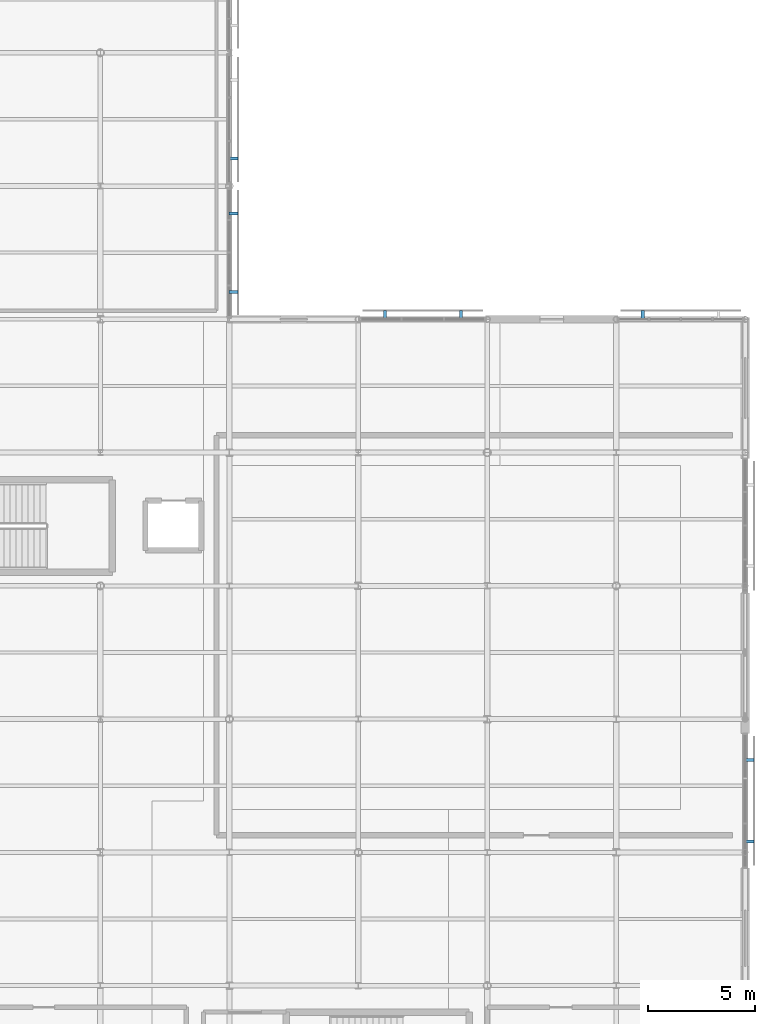
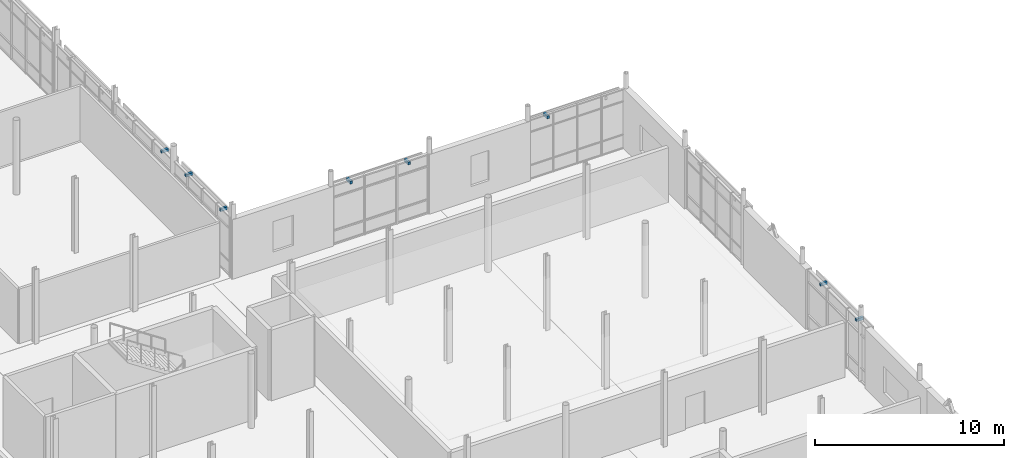
# One storey, part 73 of 84: 8 discrete accessories.
"""IFC4 building model written with IfcOpenShell, lengths in metres."""

import ifcopenshell
import ifcopenshell.guid

model = None  # the IFC model being written
_history = None  # IfcOwnerHistory: only IFC2X3 demands one
_inside = {}  # id of a spatial element -> (the spatial element, [elements in it])
_under = {}  # id of a project, library or spatial element -> (it, [spatial elements below it])
_declared = {}  # id of a project -> (the project, [libraries it declares])
_typed = {}  # id of a type object -> (the type object, [elements of that type])
_made_of = {}  # id of a material, layer set ... -> (it, [elements and type objects made of it])


def new_model(schema):
    """Start an empty IFC model of exactly this schema.

    Asked for "IFC4X3", IfcOpenShell would pick the latest addendum, in which some entities
    have other attributes; the version numbers below select the first issue.
    IFC2X3 requires an IfcOwnerHistory on every rooted entity: one is made here for all.
    """
    global model, _history
    if schema == "IFC4X3":
        model = ifcopenshell.file(schema_version=(4, 3, 0, 0))
    else:
        model = ifcopenshell.file(schema=schema)
    _inside.clear()
    _under.clear()
    _declared.clear()
    _typed.clear()
    _made_of.clear()
    _history = None
    if model.schema == "IFC2X3":
        org = make("IfcOrganization", Name="unknown")
        user = make(
            "IfcPersonAndOrganization",
            ThePerson=make("IfcPerson", FamilyName="unknown"),
            TheOrganization=org,
        )
        app = make(
            "IfcApplication",
            ApplicationDeveloper=org,
            Version="unknown",
            ApplicationFullName="unknown",
            ApplicationIdentifier="unknown",
        )
        _history = make(
            "IfcOwnerHistory",
            OwningUser=user,
            OwningApplication=app,
            ChangeAction="ADDED",
            CreationDate=0,
        )
    return model


def make(cls, **values):
    """One entity of the class cls with the attributes given. An attribute that is None is left unset."""
    return model.create_entity(
        cls, **{name: value for name, value in values.items() if value is not None}
    )


def rooted(cls, **values):
    """An entity with a GlobalId (a new one), such as an element, a storey or a relation."""
    return make(cls, GlobalId=ifcopenshell.guid.new(), OwnerHistory=_history, **values)


def si_unit(unit_type, name, prefix=None):
    """IfcSIUnit, for example si_unit("LENGTHUNIT", "METRE", prefix="MILLI")."""
    return make("IfcSIUnit", UnitType=unit_type, Prefix=prefix, Name=name)


def assignment(units):
    """IfcUnitAssignment: the units of a project."""
    return None if units is None else make("IfcUnitAssignment", Units=units)


def point(xyz):
    """IfcCartesianPoint."""
    return None if xyz is None else make("IfcCartesianPoint", Coordinates=xyz)


def direction(xyz):
    """IfcDirection."""
    return None if xyz is None else make("IfcDirection", DirectionRatios=xyz)


def frame(location, z_axis=None, x_axis=None):
    """IfcAxis2Placement3D, a coordinate frame: its origin and axes. An axis left out is left unset."""
    return make(
        "IfcAxis2Placement3D",
        Location=point(location),
        Axis=direction(z_axis),
        RefDirection=direction(x_axis),
    )


def frame_2d(location, x_axis=None):
    """IfcAxis2Placement2D, a coordinate frame in the plane: its origin and x axis."""
    return make(
        "IfcAxis2Placement2D", Location=point(location), RefDirection=direction(x_axis)
    )


def origin():
    """The frame at (0, 0, 0) with its axes left unset."""
    return frame((0.0, 0.0, 0.0))


def origin_2d():
    """The frame at (0, 0) in the plane with its x axis left unset."""
    return frame_2d((0.0, 0.0))


def place(relative_to, where):
    """IfcLocalPlacement: puts the frame where relative to a parent placement (None: the world)."""
    return make(
        "IfcLocalPlacement", PlacementRelTo=relative_to, RelativePlacement=where
    )


def context(
    kind, dimensions, precision=None, world=None, true_north=None, identifier=None
):
    """IfcGeometricRepresentationContext, for example the 3D "Model" context."""
    return make(
        "IfcGeometricRepresentationContext",
        ContextIdentifier=identifier,
        ContextType=kind,
        CoordinateSpaceDimension=dimensions,
        Precision=precision,
        WorldCoordinateSystem=world,
        TrueNorth=true_north,
    )


def subcontext(parent, identifier, kind, view, scale=None):
    """IfcGeometricRepresentationSubContext, for example "Body" below "Model"."""
    return make(
        "IfcGeometricRepresentationSubContext",
        ContextIdentifier=identifier,
        ContextType=kind,
        ParentContext=parent,
        TargetScale=scale,
        TargetView=view,
    )


def project(units=None, contexts=None):
    """IfcProject with its units and contexts."""
    return rooted(
        "IfcProject",
        Name="project",
        RepresentationContexts=contexts,
        UnitsInContext=assignment(units),
    )


def spatial(cls, under=None, at=None, **own):
    """A site, building, storey or space (cls), placed at a placement, below another one or the project."""
    s = rooted(cls, ObjectPlacement=at, **own)
    if under is not None:
        _under.setdefault(under.id(), (under, []))[1].append(s)
    return s


def profile(cls, at=None, kind="AREA", **sizes):
    """A parametric profile (cls). Its sizes go by their IFC names, for example OverallWidth=200.0."""
    return make(cls, ProfileType=kind, Position=at, **sizes)


def rectangle(**sizes):
    """IfcRectangleProfileDef."""
    return profile("IfcRectangleProfileDef", **sizes)


def extrude(swept, where, along, depth):
    """IfcExtrudedAreaSolid: the profile swept, set in the frame where, extruded along a direction by depth."""
    return make(
        "IfcExtrudedAreaSolid",
        SweptArea=swept,
        Position=where,
        ExtrudedDirection=direction(along),
        Depth=depth,
    )


def shape(context_of_items, identifier, shape_type, items):
    """IfcShapeRepresentation: the items that make up one representation, for example the "Body"."""
    return make(
        "IfcShapeRepresentation",
        ContextOfItems=context_of_items,
        RepresentationIdentifier=identifier,
        RepresentationType=shape_type,
        Items=items,
    )


def material(Name=None, Category=None):
    """IfcMaterial."""
    return make("IfcMaterial", Name=Name, Category=Category)


def made_of(thing, what):
    """Note that an element or type object is made of a material, layer set ...; save() writes the relation."""
    if what is not None:
        _made_of.setdefault(what.id(), (what, []))[1].append(thing)
    return thing


def type_object(cls, material=None, **own):
    """A type object (cls), such as IfcWallType, which elements share."""
    return made_of(rooted(cls, **own), material)


def element(
    cls,
    number,
    at=None,
    inside=None,
    cuts=None,
    type_object=None,
    material=None,
    context=None,
    identifier="Body",
    shape_type=None,
    held_by="IfcProductDefinitionShape",
    body=None,
    shapes=None,
    **own,
):
    """One element of the class cls, such as IfcWall. Its Tag is "e" and its number.

    at: its placement. inside: the storey or other place that contains it. cuts: it is an
    opening in that element (IfcRelVoidsElement). A single representation is given by context,
    identifier, shape_type and body (its items); several are given by shapes. held_by: the class
    of the entity that holds the representations. save() writes the other relations.
    """
    e = rooted(cls, Tag="e%d" % number, ObjectPlacement=at, **own)
    if body is not None:
        shapes = [shape(context, identifier, shape_type, body)]
    if shapes is not None:
        e.Representation = make(held_by, Representations=shapes)
    if inside is not None:
        _inside.setdefault(inside.id(), (inside, []))[1].append(e)
    if cuts is not None:
        rooted(
            "IfcRelVoidsElement", RelatingBuildingElement=cuts, RelatedOpeningElement=e
        )
    if type_object is not None:
        _typed.setdefault(type_object.id(), (type_object, []))[1].append(e)
    return made_of(e, material)


def aggregate(whole, parts):
    """IfcRelAggregates: a whole, such as a stair, and the parts it consists of."""
    return rooted("IfcRelAggregates", RelatingObject=whole, RelatedObjects=parts)


def save(model, path):
    """Write the relations noted so far, then the file.

    IfcRelAggregates (storeys below a building ...), IfcRelContainedInSpatialStructure (elements
    in a storey), IfcRelDefinesByType, IfcRelAssociatesMaterial and IfcRelDeclares: one each for
    every whole, place, type object, material and project.
    """
    for whole, parts in _under.values():
        aggregate(whole, parts)
    for where, things in _inside.values():
        rooted(
            "IfcRelContainedInSpatialStructure",
            RelatedElements=things,
            RelatingStructure=where,
        )
    for kind, things in _typed.values():
        rooted("IfcRelDefinesByType", RelatedObjects=things, RelatingType=kind)
    for what, things in _made_of.values():
        rooted("IfcRelAssociatesMaterial", RelatedObjects=things, RelatingMaterial=what)
    for by, libraries in _declared.values():
        rooted("IfcRelDeclares", RelatingContext=by, RelatedDefinitions=libraries)
    model.write(path)


model = new_model("IFC4")

# Units and contexts
model_context = context("Model", 3, precision=1e-05, world=origin(), true_north=direction((0.0, 1.0)))
body_context = subcontext(model_context, "Body", "Model", "MODEL_VIEW")
ifc_project = project(units=[si_unit("LENGTHUNIT", "METRE"), si_unit("AREAUNIT", "SQUARE_METRE"), si_unit("VOLUMEUNIT", "CUBIC_METRE"), si_unit("PLANEANGLEUNIT", "RADIAN"), si_unit("MASSUNIT", "GRAM", prefix="KILO")], contexts=[model_context])

# Site, building, storey
site_placement = place(None, origin())
site = spatial("IfcSite", under=ifc_project, at=site_placement, CompositionType="ELEMENT")
building_placement = place(site_placement, origin())
building = spatial("IfcBuilding", under=site, at=building_placement, Name="Mirzam Square Science Centre", CompositionType="ELEMENT")
storey_placement = place(building_placement, frame((0.0, 0.0, 10.800048828125)))
storey = spatial("IfcBuildingStorey", under=building, at=storey_placement, Name="L02", CompositionType="ELEMENT", Elevation=10.800048828125)

# Discrete accessories
ifc_material = material(Name="Steel S355", Category="steel")
discrete_accessory_type = type_object("IfcDiscreteAccessoryType", Name="BRK-BRISE-STEEL", PredefinedType="BRACKET", material=ifc_material)
for number, where, z_axis, x_axis, name in (
    (1, (162.18994140625, 62.512939453125, 3.5), (0.0, 0.0, 1.0), (0.0, 1.0, 0.0), "L02 brise-soleil support bracket 95"),
    (2, (162.18994140625, 66.287109375, 3.5), (0.0, 0.0, 1.0), (0.0, 1.0, 0.0), "L02 brise-soleil support bracket 95"),
    (3, (157.23291015625, 86.989990234375, 3.5), (0.0, 0.0, 1.0), (-1.0, 0.0, 0.0), "L02 brise-soleil support bracket 97"),
    (4, (148.76708984375, 86.989990234375, 3.5), (0.0, 0.0, 1.0), (-1.0, 0.0, 0.0), "L02 brise-soleil support bracket 98"),
    (5, (145.23291015625, 86.989990234375, 3.5), (0.0, 0.0, 1.0), (-1.0, 0.0, 0.0), "L02 brise-soleil support bracket 98"),
    (6, (138.18994140625, 88.072998046875, 3.5), (0.0, 0.0, 1.0), (0.0, 1.0, 0.0), "L02 brise-soleil support bracket 106"),
    (7, (138.18994140625, 91.72705078125, 3.5), (0.0, 0.0, 1.0), (0.0, 1.0, 0.0), "L02 brise-soleil support bracket 106"),
    (8, (138.18994140625, 94.27294921875, 3.5), (0.0, 0.0, 1.0), (0.0, 1.0, 0.0), "L02 brise-soleil support bracket 108"),
):
    element("IfcDiscreteAccessory", number, at=place(storey_placement, frame(where, z_axis=z_axis, x_axis=x_axis)), inside=storey, type_object=discrete_accessory_type, Name=name, PredefinedType="BRACKET", context=body_context, shape_type="SweptSolid", body=[
        extrude(rectangle(XDim=0.139892578125, YDim=0.419921875, at=origin_2d()), origin(), (0.0, 0.0, 1.0), 0.179931640625),
    ])

save(model, "model.ifc")
